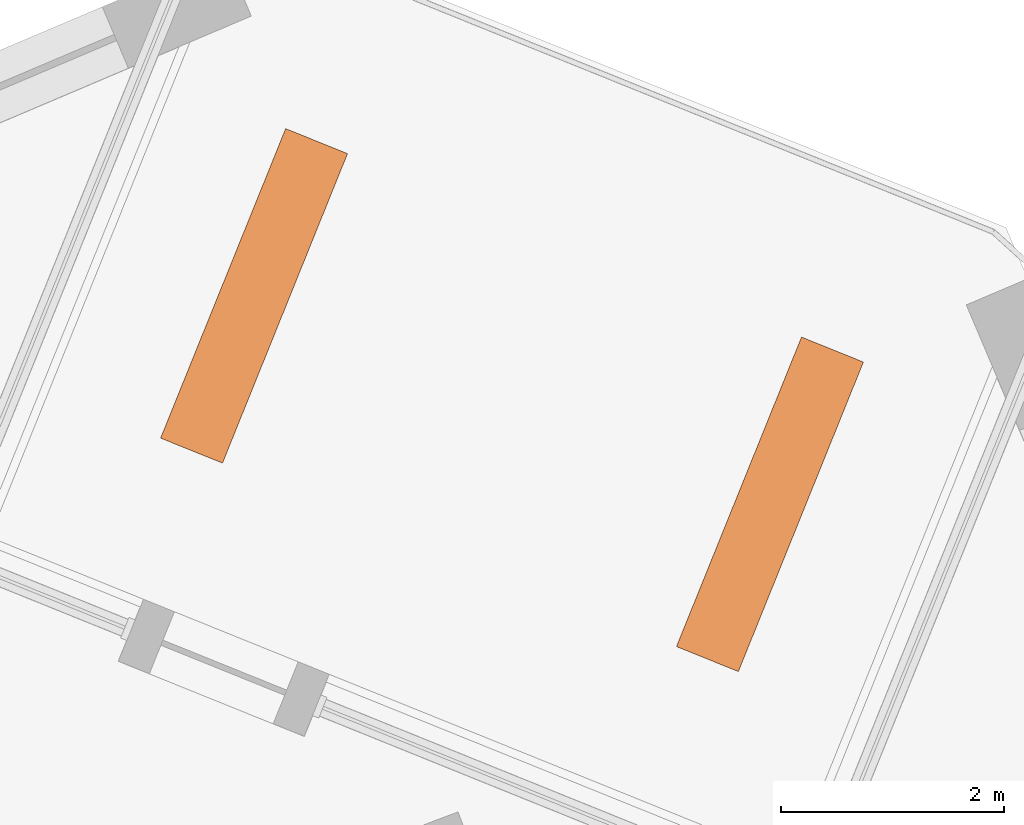
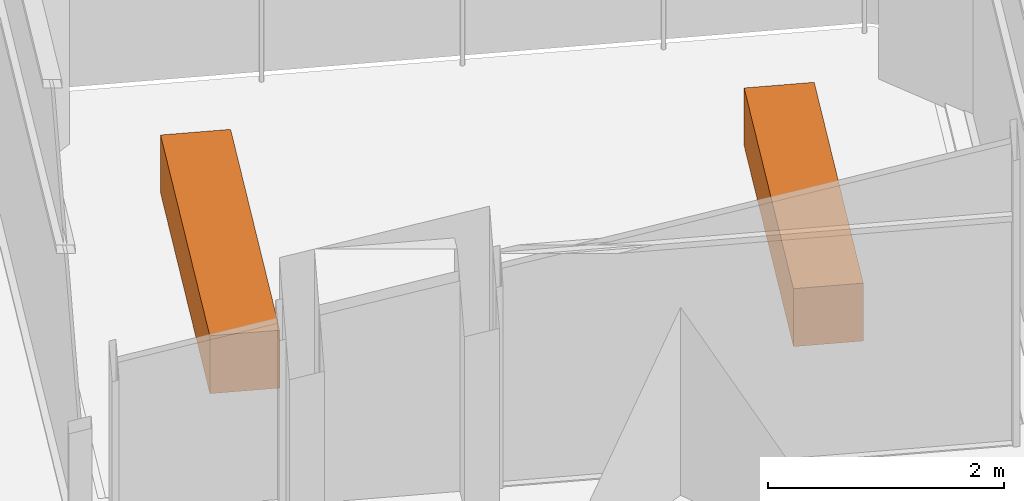
# One storey, part 12 of 12: 2 proxies.
"""IFC4 building model written with IfcOpenShell, lengths in metres."""

from ifc_helpers import new_model, si_unit, direction, frame, origin, origin_2d, place, context, subcontext, project, spatial, rectangle, extrude, element, save


model = new_model("IFC4")

# Units and contexts
model_context = context("Model", 3, precision=1e-05, world=origin(), true_north=direction((0.0, 1.0)))
body_context = subcontext(model_context, "Body", "Model", "MODEL_VIEW")
ifc_project = project(units=[si_unit("LENGTHUNIT", "METRE"), si_unit("AREAUNIT", "SQUARE_METRE"), si_unit("VOLUMEUNIT", "CUBIC_METRE"), si_unit("PLANEANGLEUNIT", "RADIAN"), si_unit("MASSUNIT", "GRAM", prefix="KILO")], contexts=[model_context])

# Site, building, storey
site_placement = place(None, origin())
site = spatial("IfcSite", under=ifc_project, at=site_placement, CompositionType="ELEMENT")
building_placement = place(site_placement, origin())
building = spatial("IfcBuilding", under=site, at=building_placement, Name="Dilmun Exchange Tower", CompositionType="ELEMENT")
storey_placement = place(building_placement, frame((0.0, 0.0, 114.10009765625)))
storey = spatial("IfcBuildingStorey", under=building, at=storey_placement, Name="L26", CompositionType="ELEMENT", Elevation=114.10009765625)

# Proxies
for number, where, z_axis, x_axis, name in (
    (1, (16.5068359375, 30.4072265625, -0.000244140625), (0.0, 0.0, 1.0), (0.374606593416, 0.927183854567, 0.0), "PLANTER Date palm L26.1"),
    (2, (11.87109375, 32.2802734375, -0.000244140625), (0.0, 0.0, 1.0), (0.374606593416, 0.927183854567, 0.0), "PLANTER Date palm L26.2"),
):
    element("IfcBuildingElementProxy", number, at=place(storey_placement, frame(where, z_axis=z_axis, x_axis=x_axis)), inside=storey, Name=name, ObjectType="PLANTER", PredefinedType="USERDEFINED", context=body_context, shape_type="SweptSolid", body=[
        extrude(rectangle(XDim=3.0, YDim=0.60009765625, at=origin_2d()), origin(), (0.0, 0.0, 1.0), 0.60009765625),
    ])

save(model, "model.ifc")
